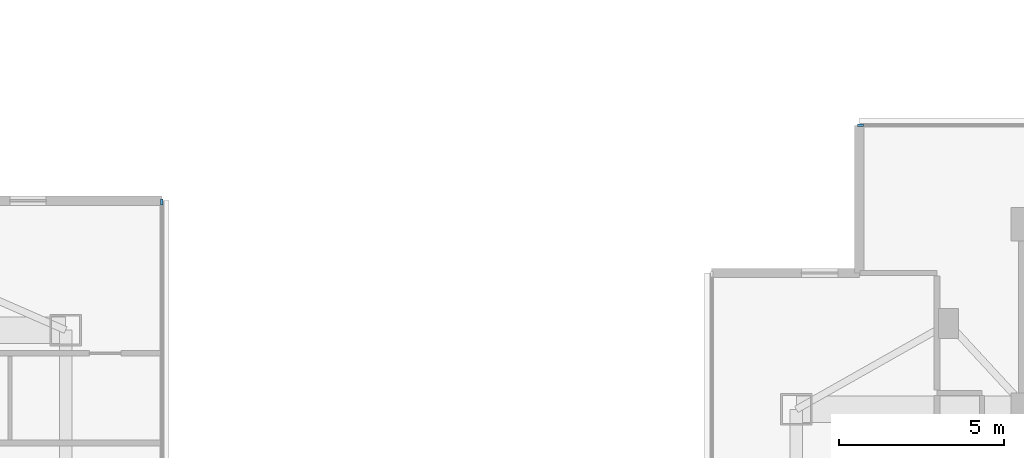
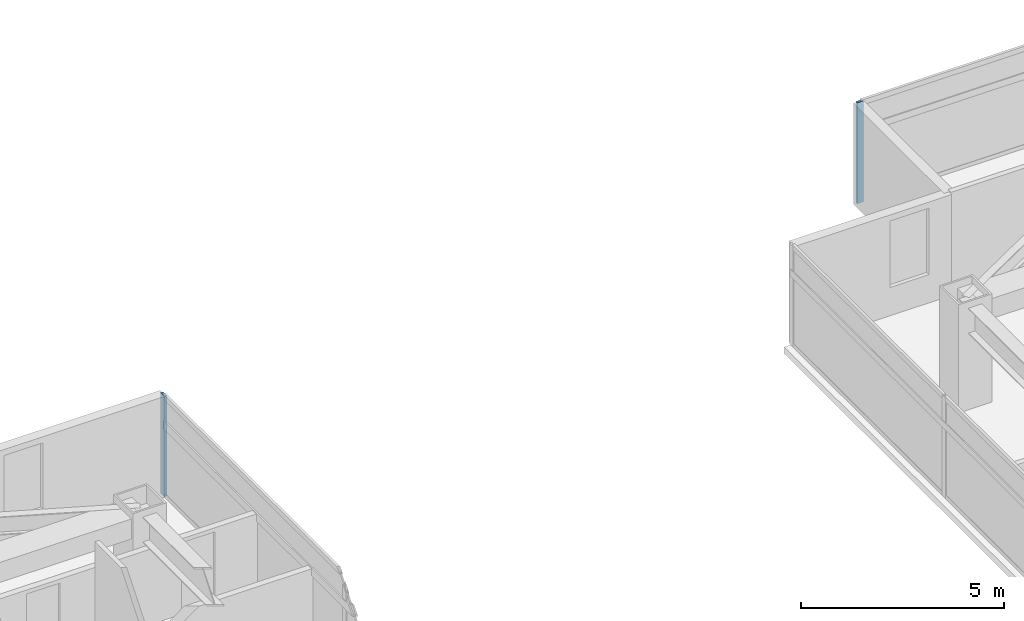
# One storey, part 7 of 25: 2 members, 2 elements without a shape of their own.
"""IFC4 building model written with IfcOpenShell, lengths in metres."""

from ifc_helpers import new_model, si_unit, direction, frame, origin, origin_2d, place, context, subcontext, project, spatial, rectangle, extrude, material, material_profile, profile_set, type_object, element, aggregate, save


model = new_model("IFC4")

# Units and contexts
model_context = context("Model", 3, precision=1e-05, world=origin(), true_north=direction((0.0, 1.0)))
body_context = subcontext(model_context, "Body", "Model", "MODEL_VIEW")
ifc_project = project(units=[si_unit("LENGTHUNIT", "METRE"), si_unit("AREAUNIT", "SQUARE_METRE"), si_unit("VOLUMEUNIT", "CUBIC_METRE"), si_unit("PLANEANGLEUNIT", "RADIAN"), si_unit("MASSUNIT", "GRAM", prefix="KILO")], contexts=[model_context])

# Site, building, storey
site_placement = place(None, origin())
site = spatial("IfcSite", under=ifc_project, at=site_placement, CompositionType="ELEMENT")
building_placement = place(site_placement, origin())
building = spatial("IfcBuilding", under=site, at=building_placement, Name="Mirazonda Arch Towers", CompositionType="ELEMENT")
storey_placement = place(building_placement, frame((0.0, 0.0, 173.89990234375)))
storey = spatial("IfcBuildingStorey", under=building, at=storey_placement, Name="L49", CompositionType="ELEMENT", Elevation=173.89990234375)

# Curtain wall, member
ifc_material_1 = material(Name="Anodised Aluminium and Low-E Glass", Category="aluminium")
curtain_wall_type = type_object("IfcCurtainWallType", Name="CW-RES-UNIT", PredefinedType="NOTDEFINED", material=ifc_material_1)
curtain_wall_1_placement = place(storey_placement, origin())
curtain_wall_1 = element("IfcCurtainWall", 1, at=curtain_wall_1_placement, inside=storey, type_object=curtain_wall_type, Name="L49 T1 E Facade CW-L49-T1-E", PredefinedType="NOTDEFINED")
ifc_material_2 = material(Name="Anodised Aluminium Alloy", Category="aluminium")
ifc_material_profile = material_profile(ifc_material_2, rectangle(XDim=0.074951171875, YDim=0.175048828125, at=origin_2d()), Name="ALU-MULL-75x175")
ifc_profile_set = profile_set([ifc_material_profile], Name="Anodised Aluminium Alloy")
member_type = type_object("IfcMemberType", Name="MULL-CW-RES-UNIT", PredefinedType="MULLION", material=ifc_profile_set)
member_1_placement = place(storey_placement, frame((41.81005859375, 41.4755859375, 0.0), z_axis=(0.0, 0.0, 1.0), x_axis=(-1.0, 0.0, 0.0)))
member_1 = element("IfcMember", 2, at=member_1_placement, type_object=member_type, Name="CW-104 mullion 4", PredefinedType="MULLION", context=body_context, shape_type="SweptSolid", body=[
    extrude(rectangle(XDim=0.074951171875, YDim=0.175048828125, at=origin_2d()), origin(), (0.0, 0.0, 1.0), 3.030029296875),
])
aggregate(curtain_wall_1, [member_1])

curtain_wall_2_placement = place(storey_placement, origin())
curtain_wall_2 = element("IfcCurtainWall", 3, at=curtain_wall_2_placement, inside=storey, type_object=curtain_wall_type, Name="L49 T2 N Facade CW-L49-T2-N", PredefinedType="NOTDEFINED")
member_2_placement = place(storey_placement, frame((62.942138671875, 43.791259765625, 0.0), z_axis=(0.0, 0.0, 1.0), x_axis=(0.0, 1.0, 0.0)))
member_2 = element("IfcMember", 4, at=member_2_placement, type_object=member_type, Name="CW-104 mullion 1", PredefinedType="MULLION", context=body_context, shape_type="SweptSolid", body=[
    extrude(rectangle(XDim=0.074951171875, YDim=0.175048828125, at=origin_2d()), origin(), (0.0, 0.0, 1.0), 3.030029296875),
])
aggregate(curtain_wall_2, [member_2])

save(model, "model.ifc")
